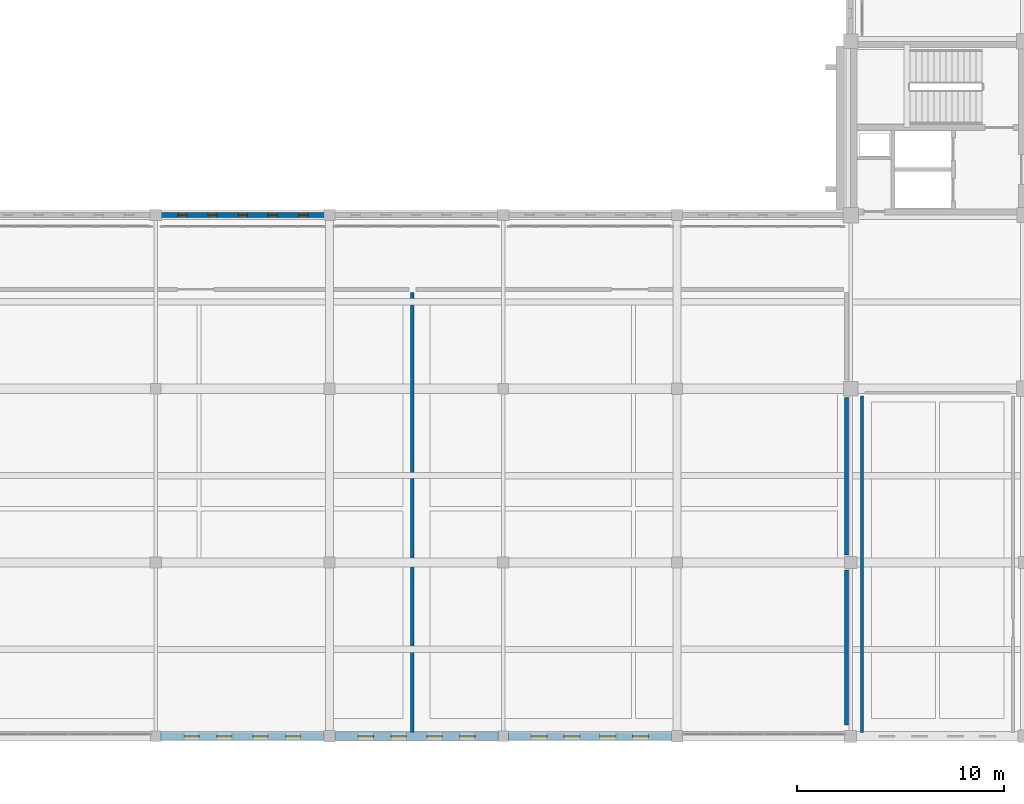
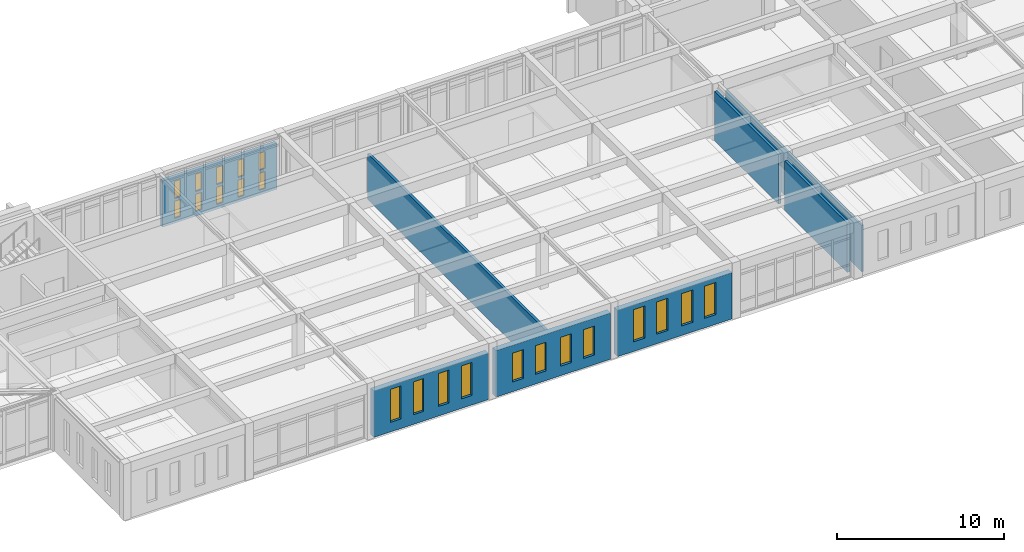
# One storey, part 161 of 192: 22 windows, 8 walls, 22 openings.
"""IFC4 building model written with IfcOpenShell, lengths in metres."""

from ifc_helpers import new_model, si_unit, direction, frame, frame_2d, origin, place, context, subcontext, project, spatial, rectangle, extrude, material, layer, layer_set, type_object, element, fill, save


model = new_model("IFC4")

# Units and contexts
model_context = context("Model", 3, precision=1e-05, world=origin(), true_north=direction((0.0, 1.0)))
body_context = subcontext(model_context, "Body", "Model", "MODEL_VIEW")
ifc_project = project(units=[si_unit("LENGTHUNIT", "METRE"), si_unit("AREAUNIT", "SQUARE_METRE"), si_unit("VOLUMEUNIT", "CUBIC_METRE"), si_unit("PLANEANGLEUNIT", "RADIAN"), si_unit("MASSUNIT", "GRAM", prefix="KILO")], contexts=[model_context])

# Site, building, storey
site_placement = place(None, origin())
site = spatial("IfcSite", under=ifc_project, at=site_placement, CompositionType="ELEMENT")
building_placement = place(site_placement, origin())
building = spatial("IfcBuilding", under=site, at=building_placement, Name="Kveldsbrygga Polytechnic", CompositionType="ELEMENT")
storey_placement = place(building_placement, frame((0.0, 0.0, 5.43994140625)))
storey = spatial("IfcBuildingStorey", under=building, at=storey_placement, Name="L01", CompositionType="ELEMENT", Elevation=5.43994140625)

# Wall, openings, windows
ifc_material_1 = material(Name="Fired clay brick masonry M10", Category="masonry")
ifc_layer_1 = layer(ifc_material_1, 0.3798828125)
ifc_layer_set_1 = layer_set([ifc_layer_1], Name="Fired clay brick masonry M10")
wall_type_1 = type_object("IfcWallType", Name="EW-BRICK-380", PredefinedType="SOLIDWALL", material=ifc_layer_set_1)
wall_1_placement = place(storey_placement, frame((92.635009765625, 0.0, 0.0), z_axis=(0.0, 0.0, 1.0), x_axis=(1.0, 0.0, 0.0)))
wall_1 = element("IfcWall", 1, at=wall_1_placement, inside=storey, type_object=wall_type_1, Name="Exterior Brick Wall EW-L01-X-11-00", PredefinedType="SOLIDWALL", context=body_context, shape_type="SweptSolid", body=[
    extrude(rectangle(XDim=7.905029296875, YDim=0.3798828125, at=frame_2d((3.95263671875, 0.0))), origin(), (0.0, 0.0, 1.0), 3.380126953125),
])
opening_1_placement = place(wall_1_placement, frame((1.141845703125, 0.0, 0.699951171875)))
opening_1 = element("IfcOpeningElement", 2, at=opening_1_placement, cuts=wall_1, Name="Opening W-02", PredefinedType="OPENING", context=body_context, shape_type="SweptSolid", body=[
    extrude(rectangle(XDim=0.719970703125, YDim=2.39990234375, at=frame_2d((0.35986328125, 1.199951171875))), frame((0.0, 0.199951171875, 0.0), z_axis=(0.0, -1.0, 0.0), x_axis=(1.0, 0.0, 0.0)), (0.0, 0.0, 1.0), 0.39990234375),
])
opening_2_placement = place(wall_1_placement, frame((2.722900390625, 0.0, 0.699951171875)))
opening_2 = element("IfcOpeningElement", 3, at=opening_2_placement, cuts=wall_1, Name="Opening W-02", PredefinedType="OPENING", context=body_context, shape_type="SweptSolid", body=[
    extrude(rectangle(XDim=0.719970703125, YDim=2.39990234375, at=frame_2d((0.35986328125, 1.199951171875))), frame((0.0, 0.199951171875, 0.0), z_axis=(0.0, -1.0, 0.0), x_axis=(1.0, 0.0, 0.0)), (0.0, 0.0, 1.0), 0.39990234375),
])
opening_3_placement = place(wall_1_placement, frame((4.462158203125, 0.0, 0.699951171875)))
opening_3 = element("IfcOpeningElement", 4, at=opening_3_placement, cuts=wall_1, Name="Opening W-02", PredefinedType="OPENING", context=body_context, shape_type="SweptSolid", body=[
    extrude(rectangle(XDim=0.719970703125, YDim=2.39990234375, at=frame_2d((0.35986328125, 1.199951171875))), frame((0.0, 0.199951171875, 0.0), z_axis=(0.0, -1.0, 0.0), x_axis=(1.0, 0.0, 0.0)), (0.0, 0.0, 1.0), 0.39990234375),
])
opening_4_placement = place(wall_1_placement, frame((6.04296875, 0.0, 0.699951171875)))
opening_4 = element("IfcOpeningElement", 5, at=opening_4_placement, cuts=wall_1, Name="Opening W-02", PredefinedType="OPENING", context=body_context, shape_type="SweptSolid", body=[
    extrude(rectangle(XDim=0.719970703125, YDim=2.39990234375, at=frame_2d((0.35986328125, 1.199951171875))), frame((0.0, 0.199951171875, 0.0), z_axis=(0.0, -1.0, 0.0), x_axis=(1.0, 0.0, 0.0)), (0.0, 0.0, 1.0), 0.39990234375),
])
ifc_material_2 = material(Name="Insulated triple low-E glass", Category="glass")
window_type_1 = type_object("IfcWindowType", Name="WN-LANC-072x240", PartitioningType="DOUBLE_PANEL_VERTICAL", PredefinedType="WINDOW", material=ifc_material_2)
window_1_placement = place(opening_1_placement, origin())
window_1 = element("IfcWindow", 6, at=window_1_placement, inside=storey, type_object=window_type_1, Name="Gothic Lancet Window WIN-L01-X-11-00-1", OverallHeight=2.39990234375, OverallWidth=0.719970703125, PartitioningType="DOUBLE_PANEL_VERTICAL", PredefinedType="WINDOW", context=body_context, shape_type="SweptSolid", body=[
    extrude(rectangle(XDim=0.719970703125, YDim=2.39990234375, at=frame_2d((0.35986328125, 1.199951171875))), frame((0.0, 0.030029296875, 0.0), z_axis=(0.0, -1.0, 0.0), x_axis=(1.0, 0.0, 0.0)), (0.0, 0.0, 1.0), 0.06005859375),
])
fill(opening_1, window_1)
window_2_placement = place(opening_2_placement, origin())
window_2 = element("IfcWindow", 7, at=window_2_placement, inside=storey, type_object=window_type_1, Name="Gothic Lancet Window WIN-L01-X-11-00-2", OverallHeight=2.39990234375, OverallWidth=0.719970703125, PartitioningType="DOUBLE_PANEL_VERTICAL", PredefinedType="WINDOW", context=body_context, shape_type="SweptSolid", body=[
    extrude(rectangle(XDim=0.719970703125, YDim=2.39990234375, at=frame_2d((0.35986328125, 1.199951171875))), frame((0.0, 0.030029296875, 0.0), z_axis=(0.0, -1.0, 0.0), x_axis=(1.0, 0.0, 0.0)), (0.0, 0.0, 1.0), 0.06005859375),
])
fill(opening_2, window_2)
window_3_placement = place(opening_3_placement, origin())
window_3 = element("IfcWindow", 8, at=window_3_placement, inside=storey, type_object=window_type_1, Name="Gothic Lancet Window WIN-L01-X-11-00-3", OverallHeight=2.39990234375, OverallWidth=0.719970703125, PartitioningType="DOUBLE_PANEL_VERTICAL", PredefinedType="WINDOW", context=body_context, shape_type="SweptSolid", body=[
    extrude(rectangle(XDim=0.719970703125, YDim=2.39990234375, at=frame_2d((0.35986328125, 1.199951171875))), frame((0.0, 0.030029296875, 0.0), z_axis=(0.0, -1.0, 0.0), x_axis=(1.0, 0.0, 0.0)), (0.0, 0.0, 1.0), 0.06005859375),
])
fill(opening_3, window_3)
window_4_placement = place(opening_4_placement, origin())
window_4 = element("IfcWindow", 9, at=window_4_placement, inside=storey, type_object=window_type_1, Name="Gothic Lancet Window WIN-L01-X-11-00-4", OverallHeight=2.39990234375, OverallWidth=0.719970703125, PartitioningType="DOUBLE_PANEL_VERTICAL", PredefinedType="WINDOW", context=body_context, shape_type="SweptSolid", body=[
    extrude(rectangle(XDim=0.719970703125, YDim=2.39990234375, at=frame_2d((0.35986328125, 1.199951171875))), frame((0.0, 0.030029296875, 0.0), z_axis=(0.0, -1.0, 0.0), x_axis=(1.0, 0.0, 0.0)), (0.0, 0.0, 1.0), 0.06005859375),
])
fill(opening_4, window_4)

wall_2_placement = place(storey_placement, frame((109.43505859375, 0.0, 0.0), z_axis=(0.0, 0.0, 1.0), x_axis=(1.0, 0.0, 0.0)))
wall_2 = element("IfcWall", 10, at=wall_2_placement, inside=storey, type_object=wall_type_1, Name="Exterior Brick Wall EW-L01-X-13-00", PredefinedType="SOLIDWALL", context=body_context, shape_type="SweptSolid", body=[
    extrude(rectangle(XDim=7.905029296875, YDim=0.3798828125, at=frame_2d((3.95263671875, 0.0))), origin(), (0.0, 0.0, 1.0), 3.380126953125),
])
opening_5_placement = place(wall_2_placement, frame((1.112060546875, 0.0, 0.699951171875)))
opening_5 = element("IfcOpeningElement", 11, at=opening_5_placement, cuts=wall_2, Name="Opening W-08", PredefinedType="OPENING", context=body_context, shape_type="SweptSolid", body=[
    extrude(rectangle(XDim=0.780029296875, YDim=2.35009765625, at=frame_2d((0.39013671875, 1.175048828125))), frame((0.0, 0.199951171875, 0.0), z_axis=(0.0, -1.0, 0.0), x_axis=(1.0, 0.0, 0.0)), (0.0, 0.0, 1.0), 0.39990234375),
])
opening_6_placement = place(wall_2_placement, frame((2.69287109375, 0.0, 0.699951171875)))
opening_6 = element("IfcOpeningElement", 12, at=opening_6_placement, cuts=wall_2, Name="Opening W-08", PredefinedType="OPENING", context=body_context, shape_type="SweptSolid", body=[
    extrude(rectangle(XDim=0.780029296875, YDim=2.35009765625, at=frame_2d((0.39013671875, 1.175048828125))), frame((0.0, 0.199951171875, 0.0), z_axis=(0.0, -1.0, 0.0), x_axis=(1.0, 0.0, 0.0)), (0.0, 0.0, 1.0), 0.39990234375),
])
opening_7_placement = place(wall_2_placement, frame((4.43212890625, 0.0, 0.699951171875)))
opening_7 = element("IfcOpeningElement", 13, at=opening_7_placement, cuts=wall_2, Name="Opening W-08", PredefinedType="OPENING", context=body_context, shape_type="SweptSolid", body=[
    extrude(rectangle(XDim=0.780029296875, YDim=2.35009765625, at=frame_2d((0.39013671875, 1.175048828125))), frame((0.0, 0.199951171875, 0.0), z_axis=(0.0, -1.0, 0.0), x_axis=(1.0, 0.0, 0.0)), (0.0, 0.0, 1.0), 0.39990234375),
])
opening_8_placement = place(wall_2_placement, frame((6.012939453125, 0.0, 0.699951171875)))
opening_8 = element("IfcOpeningElement", 14, at=opening_8_placement, cuts=wall_2, Name="Opening W-08", PredefinedType="OPENING", context=body_context, shape_type="SweptSolid", body=[
    extrude(rectangle(XDim=0.780029296875, YDim=2.35009765625, at=frame_2d((0.39013671875, 1.175048828125))), frame((0.0, 0.199951171875, 0.0), z_axis=(0.0, -1.0, 0.0), x_axis=(1.0, 0.0, 0.0)), (0.0, 0.0, 1.0), 0.39990234375),
])
window_type_2 = type_object("IfcWindowType", Name="WN-LANC-078x235", PartitioningType="DOUBLE_PANEL_VERTICAL", PredefinedType="WINDOW", material=ifc_material_2)
window_5_placement = place(opening_5_placement, origin())
window_5 = element("IfcWindow", 15, at=window_5_placement, inside=storey, type_object=window_type_2, Name="Gothic Lancet Window WIN-L01-X-13-00-1", OverallHeight=2.35009765625, OverallWidth=0.780029296875, PartitioningType="DOUBLE_PANEL_VERTICAL", PredefinedType="WINDOW", context=body_context, shape_type="SweptSolid", body=[
    extrude(rectangle(XDim=0.780029296875, YDim=2.35009765625, at=frame_2d((0.39013671875, 1.175048828125))), frame((0.0, 0.030029296875, 0.0), z_axis=(0.0, -1.0, 0.0), x_axis=(1.0, 0.0, 0.0)), (0.0, 0.0, 1.0), 0.06005859375),
])
fill(opening_5, window_5)
window_6_placement = place(opening_6_placement, origin())
window_6 = element("IfcWindow", 16, at=window_6_placement, inside=storey, type_object=window_type_2, Name="Gothic Lancet Window WIN-L01-X-13-00-2", OverallHeight=2.35009765625, OverallWidth=0.780029296875, PartitioningType="DOUBLE_PANEL_VERTICAL", PredefinedType="WINDOW", context=body_context, shape_type="SweptSolid", body=[
    extrude(rectangle(XDim=0.780029296875, YDim=2.35009765625, at=frame_2d((0.39013671875, 1.175048828125))), frame((0.0, 0.030029296875, 0.0), z_axis=(0.0, -1.0, 0.0), x_axis=(1.0, 0.0, 0.0)), (0.0, 0.0, 1.0), 0.06005859375),
])
fill(opening_6, window_6)
window_7_placement = place(opening_7_placement, origin())
window_7 = element("IfcWindow", 17, at=window_7_placement, inside=storey, type_object=window_type_2, Name="Gothic Lancet Window WIN-L01-X-13-00-3", OverallHeight=2.35009765625, OverallWidth=0.780029296875, PartitioningType="DOUBLE_PANEL_VERTICAL", PredefinedType="WINDOW", context=body_context, shape_type="SweptSolid", body=[
    extrude(rectangle(XDim=0.780029296875, YDim=2.35009765625, at=frame_2d((0.39013671875, 1.175048828125))), frame((0.0, 0.030029296875, 0.0), z_axis=(0.0, -1.0, 0.0), x_axis=(1.0, 0.0, 0.0)), (0.0, 0.0, 1.0), 0.06005859375),
])
fill(opening_7, window_7)
window_8_placement = place(opening_8_placement, origin())
window_8 = element("IfcWindow", 18, at=window_8_placement, inside=storey, type_object=window_type_2, Name="Gothic Lancet Window WIN-L01-X-13-00-4", OverallHeight=2.35009765625, OverallWidth=0.780029296875, PartitioningType="DOUBLE_PANEL_VERTICAL", PredefinedType="WINDOW", context=body_context, shape_type="SweptSolid", body=[
    extrude(rectangle(XDim=0.780029296875, YDim=2.35009765625, at=frame_2d((0.39013671875, 1.175048828125))), frame((0.0, 0.030029296875, 0.0), z_axis=(0.0, -1.0, 0.0), x_axis=(1.0, 0.0, 0.0)), (0.0, 0.0, 1.0), 0.06005859375),
])
fill(opening_8, window_8)

ifc_layer_2 = layer(ifc_material_1, 0.39990234375)
ifc_layer_set_2 = layer_set([ifc_layer_2], Name="Fired clay brick masonry M10")
wall_type_2 = type_object("IfcWallType", Name="EW-BRICK-400", PredefinedType="SOLIDWALL", material=ifc_layer_set_2)
wall_3_placement = place(storey_placement, frame((101.06005859375, 0.0, 0.0), z_axis=(0.0, 0.0, 1.0), x_axis=(1.0, 0.0, 0.0)))
wall_3 = element("IfcWall", 19, at=wall_3_placement, inside=storey, type_object=wall_type_2, Name="Exterior Brick Wall EW-L01-X-12-00", PredefinedType="SOLIDWALL", context=body_context, shape_type="SweptSolid", body=[
    extrude(rectangle(XDim=7.905029296875, YDim=0.39990234375, at=frame_2d((3.95263671875, 0.0))), origin(), (0.0, 0.0, 1.0), 3.380126953125),
])
opening_9_placement = place(wall_3_placement, frame((1.126953125, 0.0, 0.699951171875)))
opening_9 = element("IfcOpeningElement", 20, at=opening_9_placement, cuts=wall_3, Name="Opening W-27", PredefinedType="OPENING", context=body_context, shape_type="SweptSolid", body=[
    extrude(rectangle(XDim=0.75, YDim=2.10009765625, at=frame_2d((0.375, 1.050048828125))), frame((0.0, 0.2099609375, 0.0), z_axis=(0.0, -1.0, 0.0), x_axis=(1.0, 0.0, 0.0)), (0.0, 0.0, 1.0), 0.419921875),
])
opening_10_placement = place(wall_3_placement, frame((2.7080078125, 0.0, 0.699951171875)))
opening_10 = element("IfcOpeningElement", 21, at=opening_10_placement, cuts=wall_3, Name="Opening W-27", PredefinedType="OPENING", context=body_context, shape_type="SweptSolid", body=[
    extrude(rectangle(XDim=0.75, YDim=2.10009765625, at=frame_2d((0.375, 1.050048828125))), frame((0.0, 0.2099609375, 0.0), z_axis=(0.0, -1.0, 0.0), x_axis=(1.0, 0.0, 0.0)), (0.0, 0.0, 1.0), 0.419921875),
])
opening_11_placement = place(wall_3_placement, frame((4.447021484375, 0.0, 0.699951171875)))
opening_11 = element("IfcOpeningElement", 22, at=opening_11_placement, cuts=wall_3, Name="Opening W-27", PredefinedType="OPENING", context=body_context, shape_type="SweptSolid", body=[
    extrude(rectangle(XDim=0.75, YDim=2.10009765625, at=frame_2d((0.375, 1.050048828125))), frame((0.0, 0.2099609375, 0.0), z_axis=(0.0, -1.0, 0.0), x_axis=(1.0, 0.0, 0.0)), (0.0, 0.0, 1.0), 0.419921875),
])
opening_12_placement = place(wall_3_placement, frame((6.028076171875, 0.0, 0.699951171875)))
opening_12 = element("IfcOpeningElement", 23, at=opening_12_placement, cuts=wall_3, Name="Opening W-27", PredefinedType="OPENING", context=body_context, shape_type="SweptSolid", body=[
    extrude(rectangle(XDim=0.75, YDim=2.10009765625, at=frame_2d((0.375, 1.050048828125))), frame((0.0, 0.2099609375, 0.0), z_axis=(0.0, -1.0, 0.0), x_axis=(1.0, 0.0, 0.0)), (0.0, 0.0, 1.0), 0.419921875),
])
window_type_3 = type_object("IfcWindowType", Name="WN-ATTIC-075x210", PartitioningType="DOUBLE_PANEL_VERTICAL", PredefinedType="WINDOW", material=ifc_material_2)
window_9_placement = place(opening_9_placement, origin())
window_9 = element("IfcWindow", 24, at=window_9_placement, inside=storey, type_object=window_type_3, Name="Gothic Lancet Window WIN-L01-X-12-00-1", OverallHeight=2.10009765625, OverallWidth=0.75, PartitioningType="DOUBLE_PANEL_VERTICAL", PredefinedType="WINDOW", context=body_context, shape_type="SweptSolid", body=[
    extrude(rectangle(XDim=0.75, YDim=2.10009765625, at=frame_2d((0.375, 1.050048828125))), frame((0.0, 0.030029296875, 0.0), z_axis=(0.0, -1.0, 0.0), x_axis=(1.0, 0.0, 0.0)), (0.0, 0.0, 1.0), 0.06005859375),
])
fill(opening_9, window_9)
window_10_placement = place(opening_10_placement, origin())
window_10 = element("IfcWindow", 25, at=window_10_placement, inside=storey, type_object=window_type_3, Name="Gothic Lancet Window WIN-L01-X-12-00-2", OverallHeight=2.10009765625, OverallWidth=0.75, PartitioningType="DOUBLE_PANEL_VERTICAL", PredefinedType="WINDOW", context=body_context, shape_type="SweptSolid", body=[
    extrude(rectangle(XDim=0.75, YDim=2.10009765625, at=frame_2d((0.375, 1.050048828125))), frame((0.0, 0.030029296875, 0.0), z_axis=(0.0, -1.0, 0.0), x_axis=(1.0, 0.0, 0.0)), (0.0, 0.0, 1.0), 0.06005859375),
])
fill(opening_10, window_10)
window_11_placement = place(opening_11_placement, origin())
window_11 = element("IfcWindow", 26, at=window_11_placement, inside=storey, type_object=window_type_3, Name="Gothic Lancet Window WIN-L01-X-12-00-3", OverallHeight=2.10009765625, OverallWidth=0.75, PartitioningType="DOUBLE_PANEL_VERTICAL", PredefinedType="WINDOW", context=body_context, shape_type="SweptSolid", body=[
    extrude(rectangle(XDim=0.75, YDim=2.10009765625, at=frame_2d((0.375, 1.050048828125))), frame((0.0, 0.030029296875, 0.0), z_axis=(0.0, -1.0, 0.0), x_axis=(1.0, 0.0, 0.0)), (0.0, 0.0, 1.0), 0.06005859375),
])
fill(opening_11, window_11)
window_12_placement = place(opening_12_placement, origin())
window_12 = element("IfcWindow", 27, at=window_12_placement, inside=storey, type_object=window_type_3, Name="Gothic Lancet Window WIN-L01-X-12-00-4", OverallHeight=2.10009765625, OverallWidth=0.75, PartitioningType="DOUBLE_PANEL_VERTICAL", PredefinedType="WINDOW", context=body_context, shape_type="SweptSolid", body=[
    extrude(rectangle(XDim=0.75, YDim=2.10009765625, at=frame_2d((0.375, 1.050048828125))), frame((0.0, 0.030029296875, 0.0), z_axis=(0.0, -1.0, 0.0), x_axis=(1.0, 0.0, 0.0)), (0.0, 0.0, 1.0), 0.06005859375),
])
fill(opening_12, window_12)

ifc_layer_3 = layer(ifc_material_1, 0.239990234375)
ifc_layer_set_3 = layer_set([ifc_layer_3], Name="Fired clay brick masonry M10")
wall_type_3 = type_object("IfcWallType", Name="EW-SCRN-240", PredefinedType="SOLIDWALL", material=ifc_layer_set_3)
wall_4_placement = place(storey_placement, frame((92.659912109375, 25.199951171875, 0.0), z_axis=(0.0, 0.0, 1.0), x_axis=(1.0, 0.0, 0.0)))
wall_4 = element("IfcWall", 28, at=wall_4_placement, inside=storey, type_object=wall_type_3, Name="Perforated Brick Corridor Screen Wall SCRW-L01-X-11-03", PredefinedType="SOLIDWALL", context=body_context, shape_type="SweptSolid", body=[
    extrude(rectangle(XDim=7.89501953125, YDim=0.239990234375, at=frame_2d((3.947509765625, 0.0))), origin(), (0.0, 0.0, 1.0), 3.3701171875),
])
opening_13_placement = place(wall_4_placement, frame((0.8095703125, 0.0, 0.35009765625)))
opening_13 = element("IfcOpeningElement", 29, at=opening_13_placement, cuts=wall_4, Name="Opening W-48", PredefinedType="OPENING", context=body_context, shape_type="SweptSolid", body=[
    extrude(rectangle(XDim=0.43994140625, YDim=1.25, at=frame_2d((0.219970703125, 0.625))), frame((0.0, 0.1298828125, 0.0), z_axis=(0.0, -1.0, 0.0), x_axis=(1.0, 0.0, 0.0)), (0.0, 0.0, 1.0), 0.260009765625),
])
opening_14_placement = place(wall_4_placement, frame((2.2685546875, 0.0, 0.35009765625)))
opening_14 = element("IfcOpeningElement", 30, at=opening_14_placement, cuts=wall_4, Name="Opening W-48", PredefinedType="OPENING", context=body_context, shape_type="SweptSolid", body=[
    extrude(rectangle(XDim=0.43994140625, YDim=1.25, at=frame_2d((0.219970703125, 0.625))), frame((0.0, 0.1298828125, 0.0), z_axis=(0.0, -1.0, 0.0), x_axis=(1.0, 0.0, 0.0)), (0.0, 0.0, 1.0), 0.260009765625),
])
opening_15_placement = place(wall_4_placement, frame((3.7275390625, 0.0, 0.35009765625)))
opening_15 = element("IfcOpeningElement", 31, at=opening_15_placement, cuts=wall_4, Name="Opening W-48", PredefinedType="OPENING", context=body_context, shape_type="SweptSolid", body=[
    extrude(rectangle(XDim=0.43994140625, YDim=1.25, at=frame_2d((0.219970703125, 0.625))), frame((0.0, 0.1298828125, 0.0), z_axis=(0.0, -1.0, 0.0), x_axis=(1.0, 0.0, 0.0)), (0.0, 0.0, 1.0), 0.260009765625),
])
opening_16_placement = place(wall_4_placement, frame((5.1865234375, 0.0, 0.35009765625)))
opening_16 = element("IfcOpeningElement", 32, at=opening_16_placement, cuts=wall_4, Name="Opening W-48", PredefinedType="OPENING", context=body_context, shape_type="SweptSolid", body=[
    extrude(rectangle(XDim=0.43994140625, YDim=1.25, at=frame_2d((0.219970703125, 0.625))), frame((0.0, 0.1298828125, 0.0), z_axis=(0.0, -1.0, 0.0), x_axis=(1.0, 0.0, 0.0)), (0.0, 0.0, 1.0), 0.260009765625),
])
opening_17_placement = place(wall_4_placement, frame((6.6455078125, 0.0, 0.35009765625)))
opening_17 = element("IfcOpeningElement", 33, at=opening_17_placement, cuts=wall_4, Name="Opening W-48", PredefinedType="OPENING", context=body_context, shape_type="SweptSolid", body=[
    extrude(rectangle(XDim=0.43994140625, YDim=1.25, at=frame_2d((0.219970703125, 0.625))), frame((0.0, 0.1298828125, 0.0), z_axis=(0.0, -1.0, 0.0), x_axis=(1.0, 0.0, 0.0)), (0.0, 0.0, 1.0), 0.260009765625),
])
opening_18_placement = place(wall_4_placement, frame((0.8095703125, 0.0, 1.800048828125)))
opening_18 = element("IfcOpeningElement", 34, at=opening_18_placement, cuts=wall_4, Name="Opening W-48", PredefinedType="OPENING", context=body_context, shape_type="SweptSolid", body=[
    extrude(rectangle(XDim=0.43994140625, YDim=1.25, at=frame_2d((0.219970703125, 0.625))), frame((0.0, 0.1298828125, 0.0), z_axis=(0.0, -1.0, 0.0), x_axis=(1.0, 0.0, 0.0)), (0.0, 0.0, 1.0), 0.260009765625),
])
opening_19_placement = place(wall_4_placement, frame((2.2685546875, 0.0, 1.800048828125)))
opening_19 = element("IfcOpeningElement", 35, at=opening_19_placement, cuts=wall_4, Name="Opening W-48", PredefinedType="OPENING", context=body_context, shape_type="SweptSolid", body=[
    extrude(rectangle(XDim=0.43994140625, YDim=1.25, at=frame_2d((0.219970703125, 0.625))), frame((0.0, 0.1298828125, 0.0), z_axis=(0.0, -1.0, 0.0), x_axis=(1.0, 0.0, 0.0)), (0.0, 0.0, 1.0), 0.260009765625),
])
opening_20_placement = place(wall_4_placement, frame((3.7275390625, 0.0, 1.800048828125)))
opening_20 = element("IfcOpeningElement", 36, at=opening_20_placement, cuts=wall_4, Name="Opening W-48", PredefinedType="OPENING", context=body_context, shape_type="SweptSolid", body=[
    extrude(rectangle(XDim=0.43994140625, YDim=1.25, at=frame_2d((0.219970703125, 0.625))), frame((0.0, 0.1298828125, 0.0), z_axis=(0.0, -1.0, 0.0), x_axis=(1.0, 0.0, 0.0)), (0.0, 0.0, 1.0), 0.260009765625),
])
opening_21_placement = place(wall_4_placement, frame((5.1865234375, 0.0, 1.800048828125)))
opening_21 = element("IfcOpeningElement", 37, at=opening_21_placement, cuts=wall_4, Name="Opening W-48", PredefinedType="OPENING", context=body_context, shape_type="SweptSolid", body=[
    extrude(rectangle(XDim=0.43994140625, YDim=1.25, at=frame_2d((0.219970703125, 0.625))), frame((0.0, 0.1298828125, 0.0), z_axis=(0.0, -1.0, 0.0), x_axis=(1.0, 0.0, 0.0)), (0.0, 0.0, 1.0), 0.260009765625),
])
opening_22_placement = place(wall_4_placement, frame((6.6455078125, 0.0, 1.800048828125)))
opening_22 = element("IfcOpeningElement", 38, at=opening_22_placement, cuts=wall_4, Name="Opening W-48", PredefinedType="OPENING", context=body_context, shape_type="SweptSolid", body=[
    extrude(rectangle(XDim=0.43994140625, YDim=1.25, at=frame_2d((0.219970703125, 0.625))), frame((0.0, 0.1298828125, 0.0), z_axis=(0.0, -1.0, 0.0), x_axis=(1.0, 0.0, 0.0)), (0.0, 0.0, 1.0), 0.260009765625),
])
window_type_4 = type_object("IfcWindowType", Name="WN-SCRN-044x125", PartitioningType="SINGLE_PANEL", PredefinedType="WINDOW", material=ifc_material_2)
window_13_placement = place(opening_13_placement, origin())
window_13 = element("IfcWindow", 39, at=window_13_placement, inside=storey, type_object=window_type_4, Name="Perforated Screen Aperture L01-X-11-03-1", OverallHeight=1.25, OverallWidth=0.43994140625, PartitioningType="SINGLE_PANEL", PredefinedType="WINDOW", context=body_context, shape_type="SweptSolid", body=[
    extrude(rectangle(XDim=0.43994140625, YDim=1.25, at=frame_2d((0.219970703125, 0.625))), frame((0.0, 0.030029296875, 0.0), z_axis=(0.0, -1.0, 0.0), x_axis=(1.0, 0.0, 0.0)), (0.0, 0.0, 1.0), 0.06005859375),
])
fill(opening_13, window_13)
window_14_placement = place(opening_14_placement, origin())
window_14 = element("IfcWindow", 40, at=window_14_placement, inside=storey, type_object=window_type_4, Name="Perforated Screen Aperture L01-X-11-03-2", OverallHeight=1.25, OverallWidth=0.43994140625, PartitioningType="SINGLE_PANEL", PredefinedType="WINDOW", context=body_context, shape_type="SweptSolid", body=[
    extrude(rectangle(XDim=0.43994140625, YDim=1.25, at=frame_2d((0.219970703125, 0.625))), frame((0.0, 0.030029296875, 0.0), z_axis=(0.0, -1.0, 0.0), x_axis=(1.0, 0.0, 0.0)), (0.0, 0.0, 1.0), 0.06005859375),
])
fill(opening_14, window_14)
window_15_placement = place(opening_15_placement, origin())
window_15 = element("IfcWindow", 41, at=window_15_placement, inside=storey, type_object=window_type_4, Name="Perforated Screen Aperture L01-X-11-03-3", OverallHeight=1.25, OverallWidth=0.43994140625, PartitioningType="SINGLE_PANEL", PredefinedType="WINDOW", context=body_context, shape_type="SweptSolid", body=[
    extrude(rectangle(XDim=0.43994140625, YDim=1.25, at=frame_2d((0.219970703125, 0.625))), frame((0.0, 0.030029296875, 0.0), z_axis=(0.0, -1.0, 0.0), x_axis=(1.0, 0.0, 0.0)), (0.0, 0.0, 1.0), 0.06005859375),
])
fill(opening_15, window_15)
window_16_placement = place(opening_16_placement, origin())
window_16 = element("IfcWindow", 42, at=window_16_placement, inside=storey, type_object=window_type_4, Name="Perforated Screen Aperture L01-X-11-03-4", OverallHeight=1.25, OverallWidth=0.43994140625, PartitioningType="SINGLE_PANEL", PredefinedType="WINDOW", context=body_context, shape_type="SweptSolid", body=[
    extrude(rectangle(XDim=0.43994140625, YDim=1.25, at=frame_2d((0.219970703125, 0.625))), frame((0.0, 0.030029296875, 0.0), z_axis=(0.0, -1.0, 0.0), x_axis=(1.0, 0.0, 0.0)), (0.0, 0.0, 1.0), 0.06005859375),
])
fill(opening_16, window_16)
window_17_placement = place(opening_17_placement, origin())
window_17 = element("IfcWindow", 43, at=window_17_placement, inside=storey, type_object=window_type_4, Name="Perforated Screen Aperture L01-X-11-03-5", OverallHeight=1.25, OverallWidth=0.43994140625, PartitioningType="SINGLE_PANEL", PredefinedType="WINDOW", context=body_context, shape_type="SweptSolid", body=[
    extrude(rectangle(XDim=0.43994140625, YDim=1.25, at=frame_2d((0.219970703125, 0.625))), frame((0.0, 0.030029296875, 0.0), z_axis=(0.0, -1.0, 0.0), x_axis=(1.0, 0.0, 0.0)), (0.0, 0.0, 1.0), 0.06005859375),
])
fill(opening_17, window_17)
window_18_placement = place(opening_18_placement, origin())
window_18 = element("IfcWindow", 44, at=window_18_placement, inside=storey, type_object=window_type_4, Name="Perforated Screen Aperture L01-X-11-03-6", OverallHeight=1.25, OverallWidth=0.43994140625, PartitioningType="SINGLE_PANEL", PredefinedType="WINDOW", context=body_context, shape_type="SweptSolid", body=[
    extrude(rectangle(XDim=0.43994140625, YDim=1.25, at=frame_2d((0.219970703125, 0.625))), frame((0.0, 0.030029296875, 0.0), z_axis=(0.0, -1.0, 0.0), x_axis=(1.0, 0.0, 0.0)), (0.0, 0.0, 1.0), 0.06005859375),
])
fill(opening_18, window_18)
window_19_placement = place(opening_19_placement, origin())
window_19 = element("IfcWindow", 45, at=window_19_placement, inside=storey, type_object=window_type_4, Name="Perforated Screen Aperture L01-X-11-03-7", OverallHeight=1.25, OverallWidth=0.43994140625, PartitioningType="SINGLE_PANEL", PredefinedType="WINDOW", context=body_context, shape_type="SweptSolid", body=[
    extrude(rectangle(XDim=0.43994140625, YDim=1.25, at=frame_2d((0.219970703125, 0.625))), frame((0.0, 0.030029296875, 0.0), z_axis=(0.0, -1.0, 0.0), x_axis=(1.0, 0.0, 0.0)), (0.0, 0.0, 1.0), 0.06005859375),
])
fill(opening_19, window_19)
window_20_placement = place(opening_20_placement, origin())
window_20 = element("IfcWindow", 46, at=window_20_placement, inside=storey, type_object=window_type_4, Name="Perforated Screen Aperture L01-X-11-03-8", OverallHeight=1.25, OverallWidth=0.43994140625, PartitioningType="SINGLE_PANEL", PredefinedType="WINDOW", context=body_context, shape_type="SweptSolid", body=[
    extrude(rectangle(XDim=0.43994140625, YDim=1.25, at=frame_2d((0.219970703125, 0.625))), frame((0.0, 0.030029296875, 0.0), z_axis=(0.0, -1.0, 0.0), x_axis=(1.0, 0.0, 0.0)), (0.0, 0.0, 1.0), 0.06005859375),
])
fill(opening_20, window_20)
window_21_placement = place(opening_21_placement, origin())
window_21 = element("IfcWindow", 47, at=window_21_placement, inside=storey, type_object=window_type_4, Name="Perforated Screen Aperture L01-X-11-03-9", OverallHeight=1.25, OverallWidth=0.43994140625, PartitioningType="SINGLE_PANEL", PredefinedType="WINDOW", context=body_context, shape_type="SweptSolid", body=[
    extrude(rectangle(XDim=0.43994140625, YDim=1.25, at=frame_2d((0.219970703125, 0.625))), frame((0.0, 0.030029296875, 0.0), z_axis=(0.0, -1.0, 0.0), x_axis=(1.0, 0.0, 0.0)), (0.0, 0.0, 1.0), 0.06005859375),
])
fill(opening_21, window_21)
window_22_placement = place(opening_22_placement, origin())
window_22 = element("IfcWindow", 48, at=window_22_placement, inside=storey, type_object=window_type_4, Name="Perforated Screen Aperture L01-X-11-03-10", OverallHeight=1.25, OverallWidth=0.43994140625, PartitioningType="SINGLE_PANEL", PredefinedType="WINDOW", context=body_context, shape_type="SweptSolid", body=[
    extrude(rectangle(XDim=0.43994140625, YDim=1.25, at=frame_2d((0.219970703125, 0.625))), frame((0.0, 0.030029296875, 0.0), z_axis=(0.0, -1.0, 0.0), x_axis=(1.0, 0.0, 0.0)), (0.0, 0.0, 1.0), 0.06005859375),
])
fill(opening_22, window_22)

# Walls
ifc_material_3 = material(Name="Gypsum acoustic stud partition")
ifc_layer_4 = layer(ifc_material_3, 0.179931640625)
ifc_layer_set_4 = layer_set([ifc_layer_4], Name="Gypsum acoustic stud partition")
wall_type_4 = type_object("IfcWallType", Name="IW-CORR-180", PredefinedType="PARTITIONING", material=ifc_layer_set_4)
wall_5_placement = place(storey_placement, frame((104.800048828125, 0.179931640625, 0.0), z_axis=(0.0, 0.0, 1.0), x_axis=(0.0, 1.0, 0.0)))
element("IfcWall", 49, at=wall_5_placement, inside=storey, type_object=wall_type_4, Name="Partition Wall IW-SP-L01-UNION1-E1", PredefinedType="PARTITIONING", context=body_context, shape_type="SweptSolid", body=[
    extrude(rectangle(XDim=21.27001953125, YDim=0.179931640625, at=frame_2d((10.635009765625, 0.0))), origin(), (0.0, 0.0, 1.0), 3.340087890625),
])
wall_6_placement = place(storey_placement, frame((125.800048828125, 0.550048828125, 0.0), z_axis=(0.0, 0.0, 1.0), x_axis=(0.0, 1.0, 0.0)))
element("IfcWall", 50, at=wall_6_placement, inside=storey, type_object=wall_type_4, Name="Partition Wall IW-SP-L01-UNION2-E1", PredefinedType="PARTITIONING", context=body_context, shape_type="SweptSolid", body=[
    extrude(rectangle(XDim=7.489990234375, YDim=0.179931640625, at=frame_2d((3.7451171875, 0.0))), origin(), (0.0, 0.0, 1.0), 3.60009765625),
])
wall_7_placement = place(storey_placement, frame((125.800048828125, 8.760009765625, 0.0), z_axis=(0.0, 0.0, 1.0), x_axis=(0.0, 1.0, 0.0)))
element("IfcWall", 51, at=wall_7_placement, inside=storey, type_object=wall_type_4, Name="Partition Wall IW-SP-L01-UNION2-E2", PredefinedType="PARTITIONING", context=body_context, shape_type="SweptSolid", body=[
    extrude(rectangle(XDim=7.619873046875, YDim=0.179931640625, at=frame_2d((3.81005859375, 0.0))), origin(), (0.0, 0.0, 1.0), 3.6201171875),
])
ifc_material_4 = material(Name="Moisture-resistant masonry M10", Category="masonry")
ifc_layer_5 = layer(ifc_material_4, 0.1298828125)
ifc_layer_set_5 = layer_set([ifc_layer_5], Name="Moisture-resistant masonry M10")
wall_type_5 = type_object("IfcWallType", Name="IW-SAN-130", PredefinedType="PARTITIONING", material=ifc_layer_set_5)
wall_8_placement = place(storey_placement, frame((126.550048828125, 0.179931640625, 0.0), z_axis=(0.0, 0.0, 1.0), x_axis=(0.0, 1.0, 0.0)))
element("IfcWall", 52, at=wall_8_placement, inside=storey, type_object=wall_type_5, Name="Partition Wall IW-SP-L01-WC1-W1", PredefinedType="PARTITIONING", context=body_context, shape_type="SweptSolid", body=[
    extrude(rectangle(XDim=16.27001953125, YDim=0.1298828125, at=frame_2d((8.135009765625, 0.0))), origin(), (0.0, 0.0, 1.0), 3.380126953125),
])

save(model, "model.ifc")
